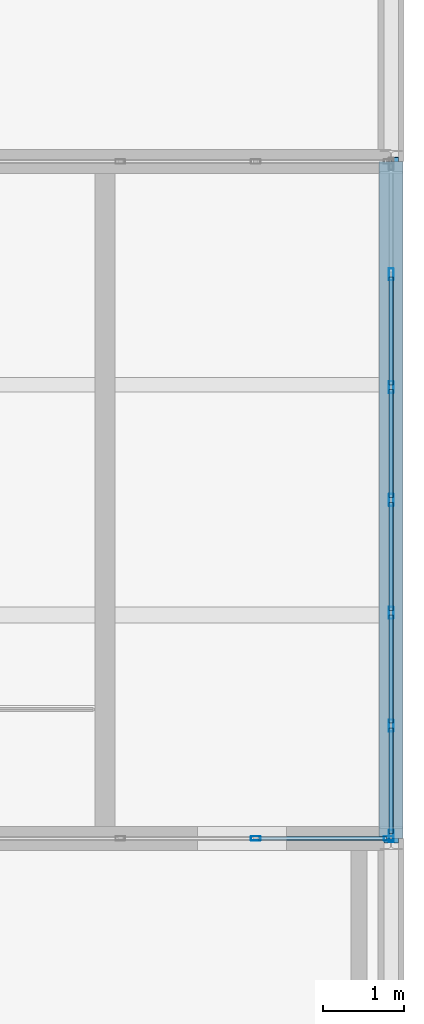
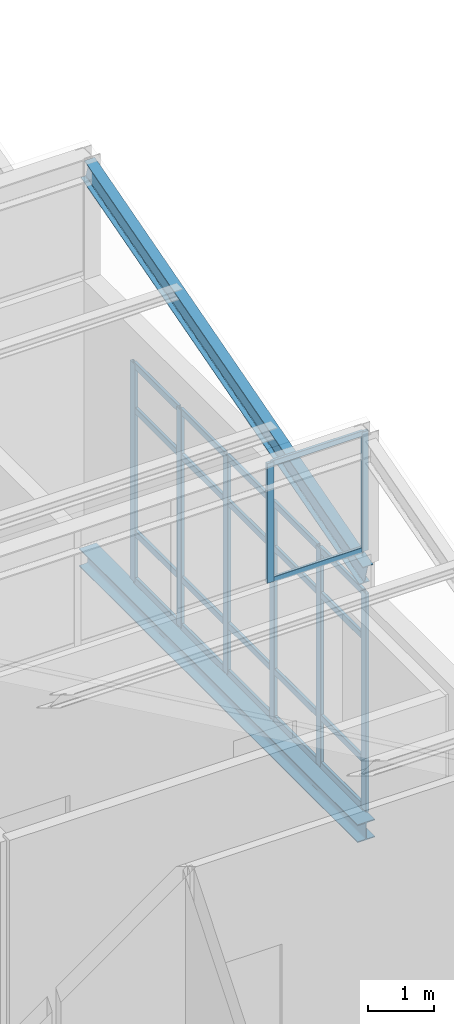
# One storey, part 33 of 53: 30 members, 2 beams, 2 elements without a shape of their own.
"""IFC4 building model written with IfcOpenShell, lengths in metres."""

import ifcopenshell
import ifcopenshell.guid

model = None  # the IFC model being written
_history = None  # IfcOwnerHistory: only IFC2X3 demands one
_inside = {}  # id of a spatial element -> (the spatial element, [elements in it])
_under = {}  # id of a project, library or spatial element -> (it, [spatial elements below it])
_declared = {}  # id of a project -> (the project, [libraries it declares])
_typed = {}  # id of a type object -> (the type object, [elements of that type])
_made_of = {}  # id of a material, layer set ... -> (it, [elements and type objects made of it])


def new_model(schema):
    """Start an empty IFC model of exactly this schema.

    Asked for "IFC4X3", IfcOpenShell would pick the latest addendum, in which some entities
    have other attributes; the version numbers below select the first issue.
    IFC2X3 requires an IfcOwnerHistory on every rooted entity: one is made here for all.
    """
    global model, _history
    if schema == "IFC4X3":
        model = ifcopenshell.file(schema_version=(4, 3, 0, 0))
    else:
        model = ifcopenshell.file(schema=schema)
    _inside.clear()
    _under.clear()
    _declared.clear()
    _typed.clear()
    _made_of.clear()
    _history = None
    if model.schema == "IFC2X3":
        org = make("IfcOrganization", Name="unknown")
        user = make(
            "IfcPersonAndOrganization",
            ThePerson=make("IfcPerson", FamilyName="unknown"),
            TheOrganization=org,
        )
        app = make(
            "IfcApplication",
            ApplicationDeveloper=org,
            Version="unknown",
            ApplicationFullName="unknown",
            ApplicationIdentifier="unknown",
        )
        _history = make(
            "IfcOwnerHistory",
            OwningUser=user,
            OwningApplication=app,
            ChangeAction="ADDED",
            CreationDate=0,
        )
    return model


def make(cls, **values):
    """One entity of the class cls with the attributes given. An attribute that is None is left unset."""
    return model.create_entity(
        cls, **{name: value for name, value in values.items() if value is not None}
    )


def rooted(cls, **values):
    """An entity with a GlobalId (a new one), such as an element, a storey or a relation."""
    return make(cls, GlobalId=ifcopenshell.guid.new(), OwnerHistory=_history, **values)


def si_unit(unit_type, name, prefix=None):
    """IfcSIUnit, for example si_unit("LENGTHUNIT", "METRE", prefix="MILLI")."""
    return make("IfcSIUnit", UnitType=unit_type, Prefix=prefix, Name=name)


def assignment(units):
    """IfcUnitAssignment: the units of a project."""
    return None if units is None else make("IfcUnitAssignment", Units=units)


def point(xyz):
    """IfcCartesianPoint."""
    return None if xyz is None else make("IfcCartesianPoint", Coordinates=xyz)


def direction(xyz):
    """IfcDirection."""
    return None if xyz is None else make("IfcDirection", DirectionRatios=xyz)


def frame(location, z_axis=None, x_axis=None):
    """IfcAxis2Placement3D, a coordinate frame: its origin and axes. An axis left out is left unset."""
    return make(
        "IfcAxis2Placement3D",
        Location=point(location),
        Axis=direction(z_axis),
        RefDirection=direction(x_axis),
    )


def frame_2d(location, x_axis=None):
    """IfcAxis2Placement2D, a coordinate frame in the plane: its origin and x axis."""
    return make(
        "IfcAxis2Placement2D", Location=point(location), RefDirection=direction(x_axis)
    )


def origin():
    """The frame at (0, 0, 0) with its axes left unset."""
    return frame((0.0, 0.0, 0.0))


def origin_2d():
    """The frame at (0, 0) in the plane with its x axis left unset."""
    return frame_2d((0.0, 0.0))


def place(relative_to, where):
    """IfcLocalPlacement: puts the frame where relative to a parent placement (None: the world)."""
    return make(
        "IfcLocalPlacement", PlacementRelTo=relative_to, RelativePlacement=where
    )


def context(
    kind, dimensions, precision=None, world=None, true_north=None, identifier=None
):
    """IfcGeometricRepresentationContext, for example the 3D "Model" context."""
    return make(
        "IfcGeometricRepresentationContext",
        ContextIdentifier=identifier,
        ContextType=kind,
        CoordinateSpaceDimension=dimensions,
        Precision=precision,
        WorldCoordinateSystem=world,
        TrueNorth=true_north,
    )


def subcontext(parent, identifier, kind, view, scale=None):
    """IfcGeometricRepresentationSubContext, for example "Body" below "Model"."""
    return make(
        "IfcGeometricRepresentationSubContext",
        ContextIdentifier=identifier,
        ContextType=kind,
        ParentContext=parent,
        TargetScale=scale,
        TargetView=view,
    )


def project(units=None, contexts=None):
    """IfcProject with its units and contexts."""
    return rooted(
        "IfcProject",
        Name="project",
        RepresentationContexts=contexts,
        UnitsInContext=assignment(units),
    )


def spatial(cls, under=None, at=None, **own):
    """A site, building, storey or space (cls), placed at a placement, below another one or the project."""
    s = rooted(cls, ObjectPlacement=at, **own)
    if under is not None:
        _under.setdefault(under.id(), (under, []))[1].append(s)
    return s


def profile(cls, at=None, kind="AREA", **sizes):
    """A parametric profile (cls). Its sizes go by their IFC names, for example OverallWidth=200.0."""
    return make(cls, ProfileType=kind, Position=at, **sizes)


def hollow_rectangle(**sizes):
    """IfcRectangleHollowProfileDef."""
    return profile("IfcRectangleHollowProfileDef", **sizes)


def i_section(**sizes):
    """IfcIShapeProfileDef."""
    return profile("IfcIShapeProfileDef", **sizes)


def extrude(swept, where, along, depth):
    """IfcExtrudedAreaSolid: the profile swept, set in the frame where, extruded along a direction by depth."""
    return make(
        "IfcExtrudedAreaSolid",
        SweptArea=swept,
        Position=where,
        ExtrudedDirection=direction(along),
        Depth=depth,
    )


def shape(context_of_items, identifier, shape_type, items):
    """IfcShapeRepresentation: the items that make up one representation, for example the "Body"."""
    return make(
        "IfcShapeRepresentation",
        ContextOfItems=context_of_items,
        RepresentationIdentifier=identifier,
        RepresentationType=shape_type,
        Items=items,
    )


def material(Name=None, Category=None):
    """IfcMaterial."""
    return make("IfcMaterial", Name=Name, Category=Category)


def layer(
    of_material, thickness, ventilated=None, Name=None, Category=None, Priority=None
):
    """IfcMaterialLayer: one layer of a wall or slab, of a material (None: an air gap)."""
    return make(
        "IfcMaterialLayer",
        Material=of_material,
        LayerThickness=thickness,
        IsVentilated=ventilated,
        Name=Name,
        Category=Category,
        Priority=Priority,
    )


def layer_set(layers, Name=None):
    """IfcMaterialLayerSet."""
    return make("IfcMaterialLayerSet", MaterialLayers=layers, LayerSetName=Name)


def material_profile(
    of_material, cross_section, Name=None, Category=None, Priority=None
):
    """IfcMaterialProfile: a cross section and its material."""
    return make(
        "IfcMaterialProfile",
        Name=Name,
        Material=of_material,
        Profile=cross_section,
        Priority=Priority,
        Category=Category,
    )


def profile_set(profiles, Name=None, composite=None):
    """IfcMaterialProfileSet."""
    return make(
        "IfcMaterialProfileSet",
        Name=Name,
        MaterialProfiles=profiles,
        CompositeProfile=composite,
    )


def made_of(thing, what):
    """Note that an element or type object is made of a material, layer set ...; save() writes the relation."""
    if what is not None:
        _made_of.setdefault(what.id(), (what, []))[1].append(thing)
    return thing


def type_object(cls, material=None, **own):
    """A type object (cls), such as IfcWallType, which elements share."""
    return made_of(rooted(cls, **own), material)


def element(
    cls,
    number,
    at=None,
    inside=None,
    cuts=None,
    type_object=None,
    material=None,
    context=None,
    identifier="Body",
    shape_type=None,
    held_by="IfcProductDefinitionShape",
    body=None,
    shapes=None,
    **own,
):
    """One element of the class cls, such as IfcWall. Its Tag is "e" and its number.

    at: its placement. inside: the storey or other place that contains it. cuts: it is an
    opening in that element (IfcRelVoidsElement). A single representation is given by context,
    identifier, shape_type and body (its items); several are given by shapes. held_by: the class
    of the entity that holds the representations. save() writes the other relations.
    """
    e = rooted(cls, Tag="e%d" % number, ObjectPlacement=at, **own)
    if body is not None:
        shapes = [shape(context, identifier, shape_type, body)]
    if shapes is not None:
        e.Representation = make(held_by, Representations=shapes)
    if inside is not None:
        _inside.setdefault(inside.id(), (inside, []))[1].append(e)
    if cuts is not None:
        rooted(
            "IfcRelVoidsElement", RelatingBuildingElement=cuts, RelatedOpeningElement=e
        )
    if type_object is not None:
        _typed.setdefault(type_object.id(), (type_object, []))[1].append(e)
    return made_of(e, material)


def aggregate(whole, parts):
    """IfcRelAggregates: a whole, such as a stair, and the parts it consists of."""
    return rooted("IfcRelAggregates", RelatingObject=whole, RelatedObjects=parts)


def save(model, path):
    """Write the relations noted so far, then the file.

    IfcRelAggregates (storeys below a building ...), IfcRelContainedInSpatialStructure (elements
    in a storey), IfcRelDefinesByType, IfcRelAssociatesMaterial and IfcRelDeclares: one each for
    every whole, place, type object, material and project.
    """
    for whole, parts in _under.values():
        aggregate(whole, parts)
    for where, things in _inside.values():
        rooted(
            "IfcRelContainedInSpatialStructure",
            RelatedElements=things,
            RelatingStructure=where,
        )
    for kind, things in _typed.values():
        rooted("IfcRelDefinesByType", RelatedObjects=things, RelatingType=kind)
    for what, things in _made_of.values():
        rooted("IfcRelAssociatesMaterial", RelatedObjects=things, RelatingMaterial=what)
    for by, libraries in _declared.values():
        rooted("IfcRelDeclares", RelatingContext=by, RelatedDefinitions=libraries)
    model.write(path)


model = new_model("IFC4")

# Units and contexts
model_context = context("Model", 3, precision=1e-05, world=origin(), true_north=direction((0.0, 1.0)))
body_context = subcontext(model_context, "Body", "Model", "MODEL_VIEW")
ifc_project = project(units=[si_unit("LENGTHUNIT", "METRE"), si_unit("AREAUNIT", "SQUARE_METRE"), si_unit("VOLUMEUNIT", "CUBIC_METRE"), si_unit("PLANEANGLEUNIT", "RADIAN"), si_unit("MASSUNIT", "GRAM", prefix="KILO")], contexts=[model_context])

# Site, building, storey
site_placement = place(None, origin())
site = spatial("IfcSite", under=ifc_project, at=site_placement, CompositionType="ELEMENT")
building_placement = place(site_placement, origin())
building = spatial("IfcBuilding", under=site, at=building_placement, Name="Qalvenar Corner Mobility Hub", CompositionType="ELEMENT")
storey_placement = place(building_placement, frame((0.0, 0.0, 26.39990234375)))
storey = spatial("IfcBuildingStorey", under=building, at=storey_placement, Name="L06", CompositionType="ELEMENT", Elevation=26.39990234375)

# Beams
ifc_material_1 = material(Name="Steel S355", Category="steel")
ifc_material_profile_1 = material_profile(ifc_material_1, i_section(OverallWidth=0.179931640625, OverallDepth=0.39990234375, WebThickness=0.008544921875, FlangeThickness=0.013427734375, FilletRadius=0.02099609375, at=origin_2d()), Name="IPE400")
ifc_profile_set_1 = profile_set([ifc_material_profile_1], Name="Steel S355")
beam_type_1 = type_object("IfcBeamType", Name="BM-IPE400", PredefinedType="BEAM", material=ifc_profile_set_1)
beam_1_placement = place(storey_placement, frame((42.0, 8.39990234375, 4.340087890625), z_axis=(0.0, 0.961528165748, 0.274706364092), x_axis=(-1.0, 0.0, 0.0)))
element("IfcBeam", 1, at=beam_1_placement, inside=storey, type_object=beam_type_1, Name="Sawtooth Rafter V3RF-2-6", PredefinedType="BEAM", context=body_context, shape_type="SweptSolid", body=[
    extrude(i_section(OverallWidth=0.179931640625, OverallDepth=0.39990234375, WebThickness=0.008544921875, FlangeThickness=0.013427734375, FilletRadius=0.02099609375, at=origin_2d()), origin(), (0.0, 0.0, 1.0), 8.736328125),
])
ifc_material_profile_2 = material_profile(ifc_material_1, i_section(OverallWidth=0.300048828125, OverallDepth=0.330078125, WebThickness=0.009521484375, FlangeThickness=0.0166015625, FilletRadius=0.027099609375, at=origin_2d()), Name="HEA340")
ifc_profile_set_2 = profile_set([ifc_material_profile_2], Name="Steel S355")
beam_type_2 = type_object("IfcBeamType", Name="BM-SPN340", PredefinedType="SPANDREL", material=ifc_profile_set_2)
beam_2_placement = place(storey_placement, frame((42.0, 8.39990234375, -0.385009765625), z_axis=(0.0, 1.0, 0.0), x_axis=(-1.0, 0.0, 0.0)))
element("IfcBeam", 2, at=beam_2_placement, inside=storey, type_object=beam_type_2, Name="Primary Steel Girder GY-3098", PredefinedType="SPANDREL", context=body_context, shape_type="SweptSolid", body=[
    extrude(i_section(OverallWidth=0.300048828125, OverallDepth=0.330078125, WebThickness=0.009521484375, FlangeThickness=0.0166015625, FilletRadius=0.027099609375, at=origin_2d()), origin(), (0.0, 0.0, 1.0), 8.400146484375),
])

# Curtain wall, members
ifc_material_2 = material(Name="Anodised Aluminium and Low-E Glazing", Category="aluminium")
ifc_layer_1 = layer(ifc_material_2, 0.1201171875)
ifc_layer_set_1 = layer_set([ifc_layer_1], Name="Anodised Aluminium and Low-E Glazing")
curtain_wall_type_1 = type_object("IfcCurtainWallType", Name="CW-CLR-84X24", PredefinedType="NOTDEFINED", material=ifc_layer_set_1)
curtain_wall_1_placement = place(storey_placement, origin())
curtain_wall_1 = element("IfcCurtainWall", 3, at=curtain_wall_1_placement, inside=storey, type_object=curtain_wall_type_1, Name="Glazed Curtain Wall CW-V3-SAW-1-4", PredefinedType="NOTDEFINED")
ifc_material_3 = material(Name="Anodised Aluminium 6063-T6", Category="aluminium")
ifc_material_profile_3 = material_profile(ifc_material_3, hollow_rectangle(XDim=0.054931640625, YDim=0.1201171875, WallThickness=0.00341796875, InnerFilletRadius=0.00341796875, OuterFilletRadius=0.007080078125, at=origin_2d()), Name="RHS120x55x3.5")
ifc_profile_set_3 = profile_set([ifc_material_profile_3], Name="Anodised Aluminium 6063-T6")
member_type_1 = type_object("IfcMemberType", Name="CW-MUL120", PredefinedType="MULLION", material=ifc_profile_set_3)
member_1_placement = place(storey_placement, frame((41.969970703125, 8.39990234375, 4.800048828125), z_axis=(0.0, 0.0, 1.0), x_axis=(0.0, -1.0, 0.0)))
member_1 = element("IfcMember", 4, at=member_1_placement, type_object=member_type_1, Name="CW-12 mullion 1", PredefinedType="MULLION", context=body_context, shape_type="SweptSolid", body=[
    extrude(hollow_rectangle(XDim=0.054931640625, YDim=0.1201171875, WallThickness=0.00341796875, InnerFilletRadius=0.00341796875, OuterFilletRadius=0.007080078125, at=origin_2d()), origin(), (0.0, 0.0, 1.0), 2.199951171875),
])
member_2_placement = place(storey_placement, frame((40.320068359375, 8.39990234375, 4.800048828125), z_axis=(0.0, 0.0, 1.0), x_axis=(0.0, -1.0, 0.0)))
member_2 = element("IfcMember", 5, at=member_2_placement, type_object=member_type_1, Name="CW-12 mullion 2", PredefinedType="MULLION", context=body_context, shape_type="SweptSolid", body=[
    extrude(hollow_rectangle(XDim=0.054931640625, YDim=0.1201171875, WallThickness=0.00341796875, InnerFilletRadius=0.00341796875, OuterFilletRadius=0.007080078125, at=origin_2d()), origin(), (0.0, 0.0, 1.0), 2.199951171875),
])

ifc_layer_2 = layer(ifc_material_2, 0.14990234375)
ifc_layer_set_2 = layer_set([ifc_layer_2], Name="Anodised Aluminium and Low-E Glazing")
curtain_wall_type_2 = type_object("IfcCurtainWallType", Name="CW-SPT-84X44", PredefinedType="NOTDEFINED", material=ifc_layer_set_2)
curtain_wall_2_placement = place(storey_placement, origin())
curtain_wall_2 = element("IfcCurtainWall", 6, at=curtain_wall_2_placement, inside=storey, type_object=curtain_wall_type_2, Name="Glazed Curtain Wall CW-V3-L06-E1", PredefinedType="NOTDEFINED")
ifc_material_profile_4 = material_profile(ifc_material_3, hollow_rectangle(XDim=0.06005859375, YDim=0.14990234375, WallThickness=0.00390625, InnerFilletRadius=0.00390625, OuterFilletRadius=0.008056640625, at=origin_2d()), Name="RHS150x60x4")
ifc_profile_set_4 = profile_set([ifc_material_profile_4], Name="Anodised Aluminium 6063-T6")
member_type_2 = type_object("IfcMemberType", Name="CW-MUL150", PredefinedType="MULLION", material=ifc_profile_set_4)
member_3_placement = place(storey_placement, frame((42.0, 8.429931640625, 0.0), z_axis=(0.0, 0.0, 1.0), x_axis=(-1.0, 0.0, 0.0)))
member_3 = element("IfcMember", 7, at=member_3_placement, type_object=member_type_2, Name="CW-06 mullion 1", PredefinedType="MULLION", context=body_context, shape_type="SweptSolid", body=[
    extrude(hollow_rectangle(XDim=0.06005859375, YDim=0.14990234375, WallThickness=0.00390625, InnerFilletRadius=0.00390625, OuterFilletRadius=0.008056640625, at=origin_2d()), origin(), (0.0, 0.0, 1.0), 4.010009765625),
])
member_4_placement = place(storey_placement, frame((42.0, 9.800048828125, 0.0), z_axis=(0.0, 0.0, 1.0), x_axis=(-1.0, 0.0, 0.0)))
member_4 = element("IfcMember", 8, at=member_4_placement, type_object=member_type_2, Name="CW-06 mullion 2", PredefinedType="MULLION", context=body_context, shape_type="SweptSolid", body=[
    extrude(hollow_rectangle(XDim=0.06005859375, YDim=0.14990234375, WallThickness=0.00390625, InnerFilletRadius=0.00390625, OuterFilletRadius=0.008056640625, at=origin_2d()), origin(), (0.0, 0.0, 1.0), 4.010009765625),
])
member_5_placement = place(storey_placement, frame((42.0, 11.199951171875, 0.0), z_axis=(0.0, 0.0, 1.0), x_axis=(-1.0, 0.0, 0.0)))
member_5 = element("IfcMember", 9, at=member_5_placement, type_object=member_type_2, Name="CW-06 mullion 3", PredefinedType="MULLION", context=body_context, shape_type="SweptSolid", body=[
    extrude(hollow_rectangle(XDim=0.06005859375, YDim=0.14990234375, WallThickness=0.00390625, InnerFilletRadius=0.00390625, OuterFilletRadius=0.008056640625, at=origin_2d()), origin(), (0.0, 0.0, 1.0), 4.010009765625),
])
member_6_placement = place(storey_placement, frame((42.0, 12.60009765625, 0.0), z_axis=(0.0, 0.0, 1.0), x_axis=(-1.0, 0.0, 0.0)))
member_6 = element("IfcMember", 10, at=member_6_placement, type_object=member_type_2, Name="CW-06 mullion 4", PredefinedType="MULLION", context=body_context, shape_type="SweptSolid", body=[
    extrude(hollow_rectangle(XDim=0.06005859375, YDim=0.14990234375, WallThickness=0.00390625, InnerFilletRadius=0.00390625, OuterFilletRadius=0.008056640625, at=origin_2d()), origin(), (0.0, 0.0, 1.0), 4.010009765625),
])
member_7_placement = place(storey_placement, frame((42.0, 14.0, 0.0), z_axis=(0.0, 0.0, 1.0), x_axis=(-1.0, 0.0, 0.0)))
member_7 = element("IfcMember", 11, at=member_7_placement, type_object=member_type_2, Name="CW-06 mullion 5", PredefinedType="MULLION", context=body_context, shape_type="SweptSolid", body=[
    extrude(hollow_rectangle(XDim=0.06005859375, YDim=0.14990234375, WallThickness=0.00390625, InnerFilletRadius=0.00390625, OuterFilletRadius=0.008056640625, at=origin_2d()), origin(), (0.0, 0.0, 1.0), 4.010009765625),
])
member_8_placement = place(storey_placement, frame((42.0, 15.39990234375, 0.0), z_axis=(0.0, 0.0, 1.0), x_axis=(-1.0, 0.0, 0.0)))
member_8 = element("IfcMember", 12, at=member_8_placement, type_object=member_type_2, Name="CW-06 mullion 6", PredefinedType="MULLION", context=body_context, shape_type="SweptSolid", body=[
    extrude(hollow_rectangle(XDim=0.06005859375, YDim=0.14990234375, WallThickness=0.00390625, InnerFilletRadius=0.00390625, OuterFilletRadius=0.008056640625, at=origin_2d()), origin(), (0.0, 0.0, 1.0), 4.010009765625),
])

# Member
ifc_material_profile_5 = material_profile(ifc_material_3, hollow_rectangle(XDim=0.050048828125, YDim=0.10009765625, WallThickness=0.0029296875, InnerFilletRadius=0.0029296875, OuterFilletRadius=0.006103515625, at=origin_2d()), Name="RHS100x50x3")
ifc_profile_set_5 = profile_set([ifc_material_profile_5], Name="Anodised Aluminium 6063-T6")
member_type_3 = type_object("IfcMemberType", Name="CW-TRN100", PredefinedType="USERDEFINED", material=ifc_profile_set_5)
member_9_placement = place(storey_placement, frame((41.93994140625, 8.39990234375, 4.82763671875), z_axis=(-1.0, 0.0, 0.0), x_axis=(0.0, -1.0, 0.0)))
member_9 = element("IfcMember", 13, at=member_9_placement, type_object=member_type_3, Name="CW-12 transom 1.1", ObjectType="TRANSOM", PredefinedType="USERDEFINED", context=body_context, shape_type="SweptSolid", body=[
    extrude(hollow_rectangle(XDim=0.050048828125, YDim=0.10009765625, WallThickness=0.0029296875, InnerFilletRadius=0.0029296875, OuterFilletRadius=0.006103515625, at=origin_2d()), origin(), (0.0, 0.0, 1.0), 1.58984375),
])

member_10_placement = place(storey_placement, frame((41.93994140625, 8.39990234375, 6.97265625), z_axis=(-1.0, 0.0, 0.0), x_axis=(0.0, -1.0, 0.0)))
member_10 = element("IfcMember", 14, at=member_10_placement, type_object=member_type_3, Name="CW-12 transom 1.2", ObjectType="TRANSOM", PredefinedType="USERDEFINED", context=body_context, shape_type="SweptSolid", body=[
    extrude(hollow_rectangle(XDim=0.050048828125, YDim=0.10009765625, WallThickness=0.0029296875, InnerFilletRadius=0.0029296875, OuterFilletRadius=0.006103515625, at=origin_2d()), origin(), (0.0, 0.0, 1.0), 1.58984375),
])

aggregate(curtain_wall_1, [member_1, member_2, member_9, member_10])

ifc_material_profile_6 = material_profile(ifc_material_3, hollow_rectangle(XDim=0.054931640625, YDim=0.1201171875, WallThickness=0.00341796875, InnerFilletRadius=0.00341796875, OuterFilletRadius=0.007080078125, at=origin_2d()), Name="RHS120x55x3.5")
ifc_profile_set_6 = profile_set([ifc_material_profile_6], Name="Anodised Aluminium 6063-T6")
member_type_4 = type_object("IfcMemberType", Name="CW-TRN120", PredefinedType="USERDEFINED", material=ifc_profile_set_6)
member_11_placement = place(storey_placement, frame((42.0, 8.4599609375, 0.027587890625), z_axis=(0.0, 1.0, 0.0), x_axis=(-1.0, 0.0, 0.0)))
member_11 = element("IfcMember", 15, at=member_11_placement, type_object=member_type_4, Name="CW-06 transom 1.1", ObjectType="TRANSOM", PredefinedType="USERDEFINED", context=body_context, shape_type="SweptSolid", body=[
    extrude(hollow_rectangle(XDim=0.054931640625, YDim=0.1201171875, WallThickness=0.00341796875, InnerFilletRadius=0.00341796875, OuterFilletRadius=0.007080078125, at=origin_2d()), origin(), (0.0, 0.0, 1.0), 1.31005859375),
])

member_12_placement = place(storey_placement, frame((42.0, 8.4599609375, 0.900146484375), z_axis=(0.0, 1.0, 0.0), x_axis=(-1.0, 0.0, 0.0)))
member_12 = element("IfcMember", 16, at=member_12_placement, type_object=member_type_4, Name="CW-06 transom 1.2", ObjectType="TRANSOM", PredefinedType="USERDEFINED", context=body_context, shape_type="SweptSolid", body=[
    extrude(hollow_rectangle(XDim=0.054931640625, YDim=0.1201171875, WallThickness=0.00341796875, InnerFilletRadius=0.00341796875, OuterFilletRadius=0.007080078125, at=origin_2d()), origin(), (0.0, 0.0, 1.0), 1.31005859375),
])

member_13_placement = place(storey_placement, frame((42.0, 8.4599609375, 3.16015625), z_axis=(0.0, 1.0, 0.0), x_axis=(-1.0, 0.0, 0.0)))
member_13 = element("IfcMember", 17, at=member_13_placement, type_object=member_type_4, Name="CW-06 transom 1.3", ObjectType="TRANSOM", PredefinedType="USERDEFINED", context=body_context, shape_type="SweptSolid", body=[
    extrude(hollow_rectangle(XDim=0.054931640625, YDim=0.1201171875, WallThickness=0.00341796875, InnerFilletRadius=0.00341796875, OuterFilletRadius=0.007080078125, at=origin_2d()), origin(), (0.0, 0.0, 1.0), 1.31005859375),
])

member_14_placement = place(storey_placement, frame((42.0, 8.4599609375, 3.982666015625), z_axis=(0.0, 1.0, 0.0), x_axis=(-1.0, 0.0, 0.0)))
member_14 = element("IfcMember", 18, at=member_14_placement, type_object=member_type_4, Name="CW-06 transom 1.4", ObjectType="TRANSOM", PredefinedType="USERDEFINED", context=body_context, shape_type="SweptSolid", body=[
    extrude(hollow_rectangle(XDim=0.054931640625, YDim=0.1201171875, WallThickness=0.00341796875, InnerFilletRadius=0.00341796875, OuterFilletRadius=0.007080078125, at=origin_2d()), origin(), (0.0, 0.0, 1.0), 1.31005859375),
])

member_15_placement = place(storey_placement, frame((42.0, 9.830078125, 0.027587890625), z_axis=(0.0, 1.0, 0.0), x_axis=(-1.0, 0.0, 0.0)))
member_15 = element("IfcMember", 19, at=member_15_placement, type_object=member_type_4, Name="CW-06 transom 2.1", ObjectType="TRANSOM", PredefinedType="USERDEFINED", context=body_context, shape_type="SweptSolid", body=[
    extrude(hollow_rectangle(XDim=0.054931640625, YDim=0.1201171875, WallThickness=0.00341796875, InnerFilletRadius=0.00341796875, OuterFilletRadius=0.007080078125, at=origin_2d()), origin(), (0.0, 0.0, 1.0), 1.33984375),
])

member_16_placement = place(storey_placement, frame((42.0, 9.830078125, 0.900146484375), z_axis=(0.0, 1.0, 0.0), x_axis=(-1.0, 0.0, 0.0)))
member_16 = element("IfcMember", 20, at=member_16_placement, type_object=member_type_4, Name="CW-06 transom 2.2", ObjectType="TRANSOM", PredefinedType="USERDEFINED", context=body_context, shape_type="SweptSolid", body=[
    extrude(hollow_rectangle(XDim=0.054931640625, YDim=0.1201171875, WallThickness=0.00341796875, InnerFilletRadius=0.00341796875, OuterFilletRadius=0.007080078125, at=origin_2d()), origin(), (0.0, 0.0, 1.0), 1.33984375),
])

member_17_placement = place(storey_placement, frame((42.0, 9.830078125, 3.16015625), z_axis=(0.0, 1.0, 0.0), x_axis=(-1.0, 0.0, 0.0)))
member_17 = element("IfcMember", 21, at=member_17_placement, type_object=member_type_4, Name="CW-06 transom 2.3", ObjectType="TRANSOM", PredefinedType="USERDEFINED", context=body_context, shape_type="SweptSolid", body=[
    extrude(hollow_rectangle(XDim=0.054931640625, YDim=0.1201171875, WallThickness=0.00341796875, InnerFilletRadius=0.00341796875, OuterFilletRadius=0.007080078125, at=origin_2d()), origin(), (0.0, 0.0, 1.0), 1.33984375),
])

member_18_placement = place(storey_placement, frame((42.0, 9.830078125, 3.982666015625), z_axis=(0.0, 1.0, 0.0), x_axis=(-1.0, 0.0, 0.0)))
member_18 = element("IfcMember", 22, at=member_18_placement, type_object=member_type_4, Name="CW-06 transom 2.4", ObjectType="TRANSOM", PredefinedType="USERDEFINED", context=body_context, shape_type="SweptSolid", body=[
    extrude(hollow_rectangle(XDim=0.054931640625, YDim=0.1201171875, WallThickness=0.00341796875, InnerFilletRadius=0.00341796875, OuterFilletRadius=0.007080078125, at=origin_2d()), origin(), (0.0, 0.0, 1.0), 1.33984375),
])

member_19_placement = place(storey_placement, frame((42.0, 11.22998046875, 0.027587890625), z_axis=(0.0, 1.0, 0.0), x_axis=(-1.0, 0.0, 0.0)))
member_19 = element("IfcMember", 23, at=member_19_placement, type_object=member_type_4, Name="CW-06 transom 3.1", ObjectType="TRANSOM", PredefinedType="USERDEFINED", context=body_context, shape_type="SweptSolid", body=[
    extrude(hollow_rectangle(XDim=0.054931640625, YDim=0.1201171875, WallThickness=0.00341796875, InnerFilletRadius=0.00341796875, OuterFilletRadius=0.007080078125, at=origin_2d()), origin(), (0.0, 0.0, 1.0), 1.340087890625),
])

member_20_placement = place(storey_placement, frame((42.0, 11.22998046875, 0.900146484375), z_axis=(0.0, 1.0, 0.0), x_axis=(-1.0, 0.0, 0.0)))
member_20 = element("IfcMember", 24, at=member_20_placement, type_object=member_type_4, Name="CW-06 transom 3.2", ObjectType="TRANSOM", PredefinedType="USERDEFINED", context=body_context, shape_type="SweptSolid", body=[
    extrude(hollow_rectangle(XDim=0.054931640625, YDim=0.1201171875, WallThickness=0.00341796875, InnerFilletRadius=0.00341796875, OuterFilletRadius=0.007080078125, at=origin_2d()), origin(), (0.0, 0.0, 1.0), 1.340087890625),
])

member_21_placement = place(storey_placement, frame((42.0, 11.22998046875, 3.16015625), z_axis=(0.0, 1.0, 0.0), x_axis=(-1.0, 0.0, 0.0)))
member_21 = element("IfcMember", 25, at=member_21_placement, type_object=member_type_4, Name="CW-06 transom 3.3", ObjectType="TRANSOM", PredefinedType="USERDEFINED", context=body_context, shape_type="SweptSolid", body=[
    extrude(hollow_rectangle(XDim=0.054931640625, YDim=0.1201171875, WallThickness=0.00341796875, InnerFilletRadius=0.00341796875, OuterFilletRadius=0.007080078125, at=origin_2d()), origin(), (0.0, 0.0, 1.0), 1.340087890625),
])

member_22_placement = place(storey_placement, frame((42.0, 11.22998046875, 3.982666015625), z_axis=(0.0, 1.0, 0.0), x_axis=(-1.0, 0.0, 0.0)))
member_22 = element("IfcMember", 26, at=member_22_placement, type_object=member_type_4, Name="CW-06 transom 3.4", ObjectType="TRANSOM", PredefinedType="USERDEFINED", context=body_context, shape_type="SweptSolid", body=[
    extrude(hollow_rectangle(XDim=0.054931640625, YDim=0.1201171875, WallThickness=0.00341796875, InnerFilletRadius=0.00341796875, OuterFilletRadius=0.007080078125, at=origin_2d()), origin(), (0.0, 0.0, 1.0), 1.340087890625),
])

member_23_placement = place(storey_placement, frame((42.0, 12.6298828125, 0.027587890625), z_axis=(0.0, 1.0, 0.0), x_axis=(-1.0, 0.0, 0.0)))
member_23 = element("IfcMember", 27, at=member_23_placement, type_object=member_type_4, Name="CW-06 transom 4.1", ObjectType="TRANSOM", PredefinedType="USERDEFINED", context=body_context, shape_type="SweptSolid", body=[
    extrude(hollow_rectangle(XDim=0.054931640625, YDim=0.1201171875, WallThickness=0.00341796875, InnerFilletRadius=0.00341796875, OuterFilletRadius=0.007080078125, at=origin_2d()), origin(), (0.0, 0.0, 1.0), 1.340087890625),
])

member_24_placement = place(storey_placement, frame((42.0, 12.6298828125, 0.900146484375), z_axis=(0.0, 1.0, 0.0), x_axis=(-1.0, 0.0, 0.0)))
member_24 = element("IfcMember", 28, at=member_24_placement, type_object=member_type_4, Name="CW-06 transom 4.2", ObjectType="TRANSOM", PredefinedType="USERDEFINED", context=body_context, shape_type="SweptSolid", body=[
    extrude(hollow_rectangle(XDim=0.054931640625, YDim=0.1201171875, WallThickness=0.00341796875, InnerFilletRadius=0.00341796875, OuterFilletRadius=0.007080078125, at=origin_2d()), origin(), (0.0, 0.0, 1.0), 1.340087890625),
])

member_25_placement = place(storey_placement, frame((42.0, 12.6298828125, 3.16015625), z_axis=(0.0, 1.0, 0.0), x_axis=(-1.0, 0.0, 0.0)))
member_25 = element("IfcMember", 29, at=member_25_placement, type_object=member_type_4, Name="CW-06 transom 4.3", ObjectType="TRANSOM", PredefinedType="USERDEFINED", context=body_context, shape_type="SweptSolid", body=[
    extrude(hollow_rectangle(XDim=0.054931640625, YDim=0.1201171875, WallThickness=0.00341796875, InnerFilletRadius=0.00341796875, OuterFilletRadius=0.007080078125, at=origin_2d()), origin(), (0.0, 0.0, 1.0), 1.340087890625),
])

member_26_placement = place(storey_placement, frame((42.0, 12.6298828125, 3.982666015625), z_axis=(0.0, 1.0, 0.0), x_axis=(-1.0, 0.0, 0.0)))
member_26 = element("IfcMember", 30, at=member_26_placement, type_object=member_type_4, Name="CW-06 transom 4.4", ObjectType="TRANSOM", PredefinedType="USERDEFINED", context=body_context, shape_type="SweptSolid", body=[
    extrude(hollow_rectangle(XDim=0.054931640625, YDim=0.1201171875, WallThickness=0.00341796875, InnerFilletRadius=0.00341796875, OuterFilletRadius=0.007080078125, at=origin_2d()), origin(), (0.0, 0.0, 1.0), 1.340087890625),
])

member_27_placement = place(storey_placement, frame((42.0, 14.030029296875, 0.027587890625), z_axis=(0.0, 1.0, 0.0), x_axis=(-1.0, 0.0, 0.0)))
member_27 = element("IfcMember", 31, at=member_27_placement, type_object=member_type_4, Name="CW-06 transom 5.1", ObjectType="TRANSOM", PredefinedType="USERDEFINED", context=body_context, shape_type="SweptSolid", body=[
    extrude(hollow_rectangle(XDim=0.054931640625, YDim=0.1201171875, WallThickness=0.00341796875, InnerFilletRadius=0.00341796875, OuterFilletRadius=0.007080078125, at=origin_2d()), origin(), (0.0, 0.0, 1.0), 1.340087890625),
])

member_28_placement = place(storey_placement, frame((42.0, 14.030029296875, 0.900146484375), z_axis=(0.0, 1.0, 0.0), x_axis=(-1.0, 0.0, 0.0)))
member_28 = element("IfcMember", 32, at=member_28_placement, type_object=member_type_4, Name="CW-06 transom 5.2", ObjectType="TRANSOM", PredefinedType="USERDEFINED", context=body_context, shape_type="SweptSolid", body=[
    extrude(hollow_rectangle(XDim=0.054931640625, YDim=0.1201171875, WallThickness=0.00341796875, InnerFilletRadius=0.00341796875, OuterFilletRadius=0.007080078125, at=origin_2d()), origin(), (0.0, 0.0, 1.0), 1.340087890625),
])

member_29_placement = place(storey_placement, frame((42.0, 14.030029296875, 3.16015625), z_axis=(0.0, 1.0, 0.0), x_axis=(-1.0, 0.0, 0.0)))
member_29 = element("IfcMember", 33, at=member_29_placement, type_object=member_type_4, Name="CW-06 transom 5.3", ObjectType="TRANSOM", PredefinedType="USERDEFINED", context=body_context, shape_type="SweptSolid", body=[
    extrude(hollow_rectangle(XDim=0.054931640625, YDim=0.1201171875, WallThickness=0.00341796875, InnerFilletRadius=0.00341796875, OuterFilletRadius=0.007080078125, at=origin_2d()), origin(), (0.0, 0.0, 1.0), 1.340087890625),
])

member_30_placement = place(storey_placement, frame((42.0, 14.030029296875, 3.982666015625), z_axis=(0.0, 1.0, 0.0), x_axis=(-1.0, 0.0, 0.0)))
member_30 = element("IfcMember", 34, at=member_30_placement, type_object=member_type_4, Name="CW-06 transom 5.4", ObjectType="TRANSOM", PredefinedType="USERDEFINED", context=body_context, shape_type="SweptSolid", body=[
    extrude(hollow_rectangle(XDim=0.054931640625, YDim=0.1201171875, WallThickness=0.00341796875, InnerFilletRadius=0.00341796875, OuterFilletRadius=0.007080078125, at=origin_2d()), origin(), (0.0, 0.0, 1.0), 1.340087890625),
])

aggregate(curtain_wall_2, [member_3, member_4, member_5, member_6, member_7, member_8, member_11, member_12, member_13, member_14, member_15, member_16, member_17, member_18, member_19, member_20, member_21, member_22, member_23, member_24, member_25, member_26, member_27, member_28, member_29, member_30])

save(model, "model.ifc")
